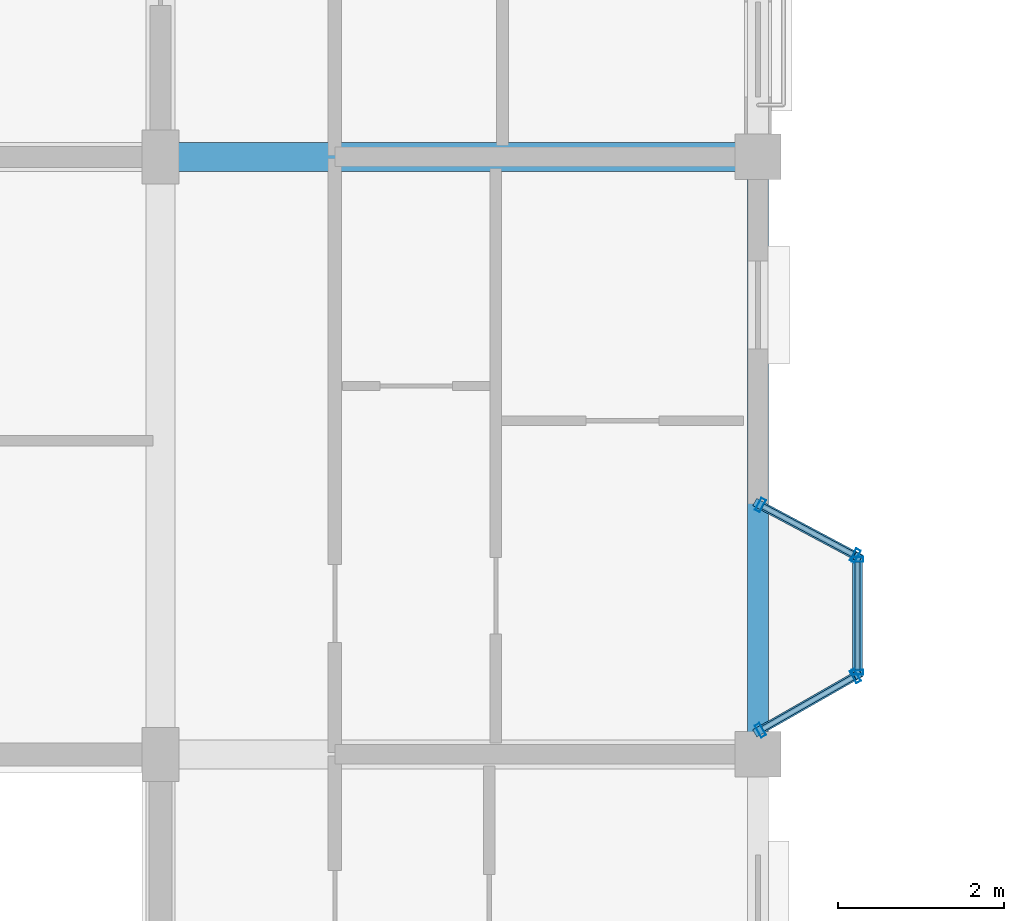
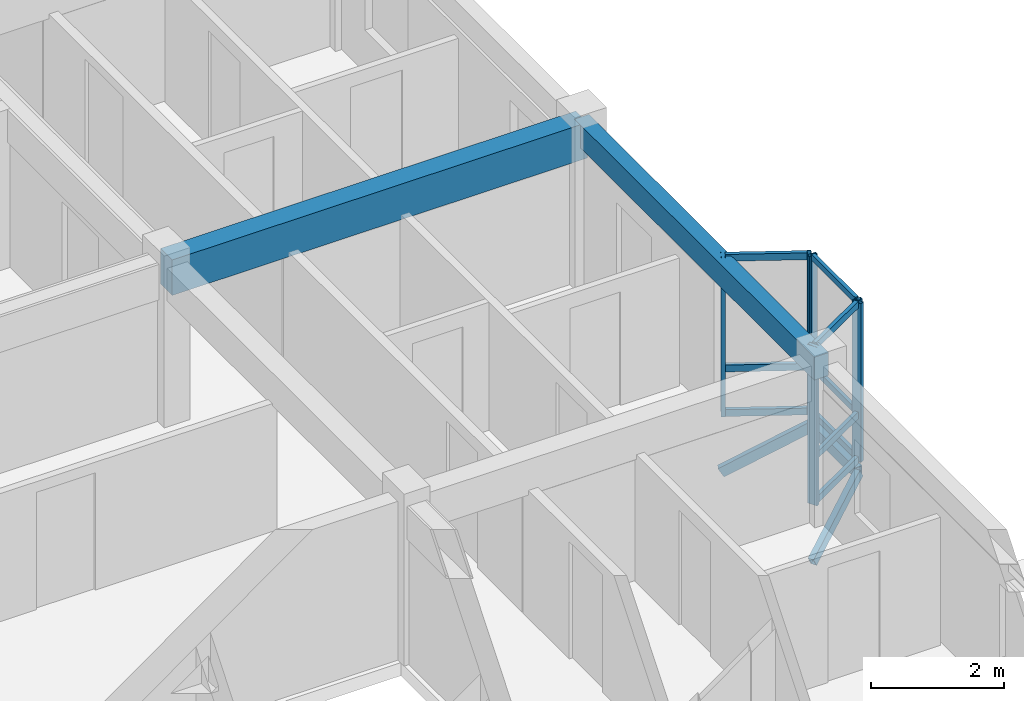
# One storey, part 19 of 79: 18 members, 2 beams, 3 elements without a shape of their own.
"""IFC4 building model written with IfcOpenShell, lengths in metres."""

from ifc_helpers import new_model, si_unit, direction, frame, origin, origin_2d, place, context, subcontext, project, spatial, rectangle, hollow_rectangle, extrude, material, layer, layer_set, material_profile, profile_set, type_object, element, aggregate, save


model = new_model("IFC4")

# Units and contexts
model_context = context("Model", 3, precision=1e-05, world=origin(), true_north=direction((0.0, 1.0)))
body_context = subcontext(model_context, "Body", "Model", "MODEL_VIEW")
ifc_project = project(units=[si_unit("LENGTHUNIT", "METRE"), si_unit("AREAUNIT", "SQUARE_METRE"), si_unit("VOLUMEUNIT", "CUBIC_METRE"), si_unit("PLANEANGLEUNIT", "RADIAN"), si_unit("MASSUNIT", "GRAM", prefix="KILO"), si_unit("THERMODYNAMICTEMPERATUREUNIT", "KELVIN"), si_unit("POWERUNIT", "WATT")], contexts=[model_context])

# Site, building, storey
site_placement = place(None, origin())
site = spatial("IfcSite", under=ifc_project, at=site_placement, CompositionType="ELEMENT")
building_placement = place(site_placement, origin())
building = spatial("IfcBuilding", under=site, at=building_placement, Name="Tavuni Mirador Residences", CompositionType="ELEMENT")
storey_placement = place(building_placement, frame((0.0, 0.0, 13.949951171875)))
storey = spatial("IfcBuildingStorey", under=building, at=storey_placement, Name="L04", CompositionType="ELEMENT", Elevation=13.949951171875)

# Beams
ifc_material_1 = material(Name="Precast concrete C40/50", Category="concrete")
ifc_material_profile_1 = material_profile(ifc_material_1, rectangle(XDim=0.35009765625, YDim=0.64990234375, at=origin_2d()), Name="PC 350x650", Category="concrete")
ifc_profile_set_1 = profile_set([ifc_material_profile_1], Name="Precast concrete C40/50")
beam_type_1 = type_object("IfcBeamType", Name="BT-B650", PredefinedType="BEAM", material=ifc_profile_set_1)
beam_1_placement = place(storey_placement, frame((18.0, 86.39990234375, 2.5849609375), z_axis=(1.0, 0.0, 0.0), x_axis=(0.0, 1.0, 0.0)))
element("IfcBeam", 1, at=beam_1_placement, inside=storey, type_object=beam_type_1, Name="BMX-BLK-B-L04-02-03", PredefinedType="BEAM", context=body_context, shape_type="SweptSolid", body=[
    extrude(rectangle(XDim=0.35009765625, YDim=0.64990234375, at=origin_2d()), origin(), (0.0, 0.0, 1.0), 7.199951171875),
])
ifc_material_profile_2 = material_profile(ifc_material_1, rectangle(XDim=0.25, YDim=0.419921875, at=origin_2d()), Name="PC 250x420", Category="concrete")
ifc_profile_set_2 = profile_set([ifc_material_profile_2], Name="Precast concrete C40/50")
beam_type_2 = type_object("IfcBeamType", Name="BT-SP420", PredefinedType="SPANDREL", material=ifc_profile_set_2)
beam_2_placement = place(storey_placement, frame((25.199951171875, 79.199951171875, 2.699951171875), z_axis=(0.0, 1.0, 0.0), x_axis=(-1.0, 0.0, 0.0)))
element("IfcBeam", 2, at=beam_2_placement, inside=storey, type_object=beam_type_2, Name="BMY-BLK-B-L04-03-02", PredefinedType="SPANDREL", context=body_context, shape_type="SweptSolid", body=[
    extrude(rectangle(XDim=0.25, YDim=0.419921875, at=origin_2d()), origin(), (0.0, 0.0, 1.0), 7.199951171875),
])

# Curtain wall, members
ifc_material_2 = material(Name="Anodised aluminium", Category="aluminium")
ifc_layer_1 = layer(ifc_material_2, 0.1650390625, Name="Anodised aluminium", Category="aluminium")
ifc_layer_set_1 = layer_set([ifc_layer_1], Name="Anodised aluminium")
curtain_wall_type_1 = type_object("IfcCurtainWallType", Name="CWT-MIR-A", PredefinedType="NOTDEFINED", material=ifc_layer_set_1)
curtain_wall_1_placement = place(storey_placement, origin())
curtain_wall_1 = element("IfcCurtainWall", 3, at=curtain_wall_1_placement, inside=storey, type_object=curtain_wall_type_1, Name="CW-MIR-B-E2-L04-MF", PredefinedType="NOTDEFINED")
ifc_material_profile_3 = material_profile(ifc_material_2, hollow_rectangle(XDim=0.06005859375, YDim=0.139892578125, WallThickness=0.00390625, at=origin_2d()), Name="ALU 60x140x4.0", Category="aluminium")
ifc_profile_set_3 = profile_set([ifc_material_profile_3], Name="Anodised aluminium")
member_type_1 = type_object("IfcMemberType", Name="CWM-140", PredefinedType="MULLION", material=ifc_profile_set_3)
member_1_placement = place(storey_placement, frame((26.39990234375, 80.18994140625, 0.0), z_axis=(0.0, 0.0, 1.0), x_axis=(0.0, 1.0, 0.0)))
member_1 = element("IfcMember", 4, at=member_1_placement, type_object=member_type_1, Name="CW-01 mullion 1", PredefinedType="MULLION", context=body_context, shape_type="SweptSolid", body=[
    extrude(hollow_rectangle(XDim=0.06005859375, YDim=0.139892578125, WallThickness=0.00390625, at=origin_2d()), origin(), (0.0, 0.0, 1.0), 2.91015625),
])
member_2_placement = place(storey_placement, frame((26.39990234375, 81.550048828125, 0.0), z_axis=(0.0, 0.0, 1.0), x_axis=(0.0, 1.0, 0.0)))
member_2 = element("IfcMember", 5, at=member_2_placement, type_object=member_type_1, Name="CW-01 mullion 2", PredefinedType="MULLION", context=body_context, shape_type="SweptSolid", body=[
    extrude(hollow_rectangle(XDim=0.06005859375, YDim=0.139892578125, WallThickness=0.00390625, at=origin_2d()), origin(), (0.0, 0.0, 1.0), 2.91015625),
])

ifc_layer_2 = layer(ifc_material_2, 0.159912109375, Name="Anodised aluminium", Category="aluminium")
ifc_layer_set_2 = layer_set([ifc_layer_2], Name="Anodised aluminium")
curtain_wall_type_2 = type_object("IfcCurtainWallType", Name="CWT-MIR-D", PredefinedType="NOTDEFINED", material=ifc_layer_set_2)
curtain_wall_2_placement = place(storey_placement, origin())
curtain_wall_2 = element("IfcCurtainWall", 6, at=curtain_wall_2_placement, inside=storey, type_object=curtain_wall_type_2, Name="CW-MIR-B-E2-L04-M1", PredefinedType="NOTDEFINED")
ifc_material_profile_4 = material_profile(ifc_material_2, hollow_rectangle(XDim=0.06494140625, YDim=0.1650390625, WallThickness=0.00439453125, at=origin_2d()), Name="ALU 65x165x4.5", Category="aluminium")
ifc_profile_set_4 = profile_set([ifc_material_profile_4], Name="Anodised aluminium")
member_type_2 = type_object("IfcMemberType", Name="CWM-165", PredefinedType="MULLION", material=ifc_profile_set_4)
member_3_placement = place(storey_placement, frame((25.228271484375, 79.4912109375, 0.0), z_axis=(0.0, 0.0, 1.0), x_axis=(0.868465738194, 0.495749192217, 0.0)))
member_3 = element("IfcMember", 7, at=member_3_placement, type_object=member_type_2, Name="CW-04 mullion 1", PredefinedType="MULLION", context=body_context, shape_type="SweptSolid", body=[
    extrude(hollow_rectangle(XDim=0.06494140625, YDim=0.1650390625, WallThickness=0.00439453125, at=origin_2d()), origin(), (0.0, 0.0, 1.0), 2.91015625),
])
member_4_placement = place(storey_placement, frame((26.371826171875, 80.143798828125, 0.0), z_axis=(0.0, 0.0, 1.0), x_axis=(0.868465738194, 0.495749192217, 0.0)))
member_4 = element("IfcMember", 8, at=member_4_placement, type_object=member_type_2, Name="CW-04 mullion 2", PredefinedType="MULLION", context=body_context, shape_type="SweptSolid", body=[
    extrude(hollow_rectangle(XDim=0.06494140625, YDim=0.1650390625, WallThickness=0.00439453125, at=origin_2d()), origin(), (0.0, 0.0, 1.0), 2.91015625),
])

ifc_layer_3 = layer(ifc_material_2, 0.14990234375, Name="Anodised aluminium", Category="aluminium")
ifc_layer_set_3 = layer_set([ifc_layer_3], Name="Anodised aluminium")
curtain_wall_type_3 = type_object("IfcCurtainWallType", Name="CWT-MIR-B", PredefinedType="NOTDEFINED", material=ifc_layer_set_3)
curtain_wall_3_placement = place(storey_placement, origin())
curtain_wall_3 = element("IfcCurtainWall", 9, at=curtain_wall_3_placement, inside=storey, type_object=curtain_wall_type_3, Name="CW-MIR-B-E2-L04-M2", PredefinedType="NOTDEFINED")
member_5_placement = place(storey_placement, frame((26.371337890625, 81.59521484375, 0.0), z_axis=(0.0, 0.0, 1.0), x_axis=(-0.882352941175, 0.470588235296, 0.0)))
member_5 = element("IfcMember", 10, at=member_5_placement, type_object=member_type_2, Name="CW-02 mullion 1", PredefinedType="MULLION", context=body_context, shape_type="SweptSolid", body=[
    extrude(hollow_rectangle(XDim=0.06494140625, YDim=0.1650390625, WallThickness=0.00439453125, at=origin_2d()), origin(), (0.0, 0.0, 1.0), 2.91015625),
])
member_6_placement = place(storey_placement, frame((25.228759765625, 82.20458984375, 0.0), z_axis=(0.0, 0.0, 1.0), x_axis=(-0.882352941175, 0.470588235296, 0.0)))
member_6 = element("IfcMember", 11, at=member_6_placement, type_object=member_type_2, Name="CW-02 mullion 2", PredefinedType="MULLION", context=body_context, shape_type="SweptSolid", body=[
    extrude(hollow_rectangle(XDim=0.06494140625, YDim=0.1650390625, WallThickness=0.00439453125, at=origin_2d()), origin(), (0.0, 0.0, 1.0), 2.91015625),
])

# Member
ifc_material_profile_5 = material_profile(ifc_material_2, hollow_rectangle(XDim=0.06005859375, YDim=0.110107421875, WallThickness=0.00390625, at=origin_2d()), Name="ALU 60x110x4.0", Category="aluminium")
ifc_profile_set_5 = profile_set([ifc_material_profile_5], Name="Anodised aluminium")
member_type_3 = type_object("IfcMemberType", Name="CWT-110", PredefinedType="USERDEFINED", material=ifc_profile_set_5)
member_7_placement = place(storey_placement, frame((26.39990234375, 80.219970703125, 0.030029296875), z_axis=(0.0, 1.0, 0.0), x_axis=(-1.0, 0.0, 0.0)))
member_7 = element("IfcMember", 12, at=member_7_placement, type_object=member_type_3, Name="CW-01 transom 1.1", ObjectType="TRANSOM", PredefinedType="USERDEFINED", context=body_context, shape_type="SweptSolid", body=[
    extrude(hollow_rectangle(XDim=0.06005859375, YDim=0.110107421875, WallThickness=0.00390625, at=origin_2d()), origin(), (0.0, 0.0, 1.0), 1.300048828125),
])

member_8_placement = place(storey_placement, frame((26.39990234375, 80.219970703125, 0.85009765625), z_axis=(0.0, 1.0, 0.0), x_axis=(-1.0, 0.0, 0.0)))
member_8 = element("IfcMember", 13, at=member_8_placement, type_object=member_type_3, Name="CW-01 transom 1.2", ObjectType="TRANSOM", PredefinedType="USERDEFINED", context=body_context, shape_type="SweptSolid", body=[
    extrude(hollow_rectangle(XDim=0.06005859375, YDim=0.110107421875, WallThickness=0.00390625, at=origin_2d()), origin(), (0.0, 0.0, 1.0), 1.300048828125),
])

member_9_placement = place(storey_placement, frame((26.39990234375, 80.219970703125, 2.880126953125), z_axis=(0.0, 1.0, 0.0), x_axis=(-1.0, 0.0, 0.0)))
member_9 = element("IfcMember", 14, at=member_9_placement, type_object=member_type_3, Name="CW-01 transom 1.3", ObjectType="TRANSOM", PredefinedType="USERDEFINED", context=body_context, shape_type="SweptSolid", body=[
    extrude(hollow_rectangle(XDim=0.06005859375, YDim=0.110107421875, WallThickness=0.00390625, at=origin_2d()), origin(), (0.0, 0.0, 1.0), 1.300048828125),
])

aggregate(curtain_wall_1, [member_1, member_2, member_7, member_8, member_9])

ifc_material_profile_6 = material_profile(ifc_material_2, hollow_rectangle(XDim=0.06494140625, YDim=0.125, WallThickness=0.00439453125, at=origin_2d()), Name="ALU 65x125x4.5", Category="aluminium")
ifc_profile_set_6 = profile_set([ifc_material_profile_6], Name="Anodised aluminium")
member_type_4 = type_object("IfcMemberType", Name="CWT-125", PredefinedType="USERDEFINED", material=ifc_profile_set_6)
member_10_placement = place(storey_placement, frame((25.25634765625, 79.50732421875, 0.032470703125), z_axis=(0.868543055203, 0.495613721822, 0.0), x_axis=(-0.495613721822, 0.868543055203, 0.0)))
member_10 = element("IfcMember", 15, at=member_10_placement, type_object=member_type_4, Name="CW-04 transom 1.1", ObjectType="TRANSOM", PredefinedType="USERDEFINED", context=body_context, shape_type="SweptSolid", body=[
    extrude(hollow_rectangle(XDim=0.06494140625, YDim=0.125, WallThickness=0.00439453125, at=origin_2d()), origin(), (0.0, 0.0, 1.0), 1.251708984375),
])

member_11_placement = place(storey_placement, frame((25.25634765625, 79.50732421875, 0.85009765625), z_axis=(0.868543055203, 0.495613721822, 0.0), x_axis=(-0.495613721822, 0.868543055203, 0.0)))
member_11 = element("IfcMember", 16, at=member_11_placement, type_object=member_type_4, Name="CW-04 transom 1.2", ObjectType="TRANSOM", PredefinedType="USERDEFINED", context=body_context, shape_type="SweptSolid", body=[
    extrude(hollow_rectangle(XDim=0.06494140625, YDim=0.125, WallThickness=0.00439453125, at=origin_2d()), origin(), (0.0, 0.0, 1.0), 1.251708984375),
])

member_12_placement = place(storey_placement, frame((25.25634765625, 79.50732421875, 2.87744140625), z_axis=(0.868543055203, 0.495613721822, 0.0), x_axis=(-0.495613721822, 0.868543055203, 0.0)))
member_12 = element("IfcMember", 17, at=member_12_placement, type_object=member_type_4, Name="CW-04 transom 1.3", ObjectType="TRANSOM", PredefinedType="USERDEFINED", context=body_context, shape_type="SweptSolid", body=[
    extrude(hollow_rectangle(XDim=0.06494140625, YDim=0.125, WallThickness=0.00439453125, at=origin_2d()), origin(), (0.0, 0.0, 1.0), 1.251708984375),
])

aggregate(curtain_wall_2, [member_3, member_4, member_10, member_11, member_12])

member_13_placement = place(storey_placement, frame((26.342529296875, 81.610595703125, 0.032470703125), z_axis=(-0.882325465843, 0.470639747922, 0.0), x_axis=(-0.470639747922, -0.882325465843, 0.0)))
member_13 = element("IfcMember", 18, at=member_13_placement, type_object=member_type_4, Name="CW-02 transom 1.1", ObjectType="TRANSOM", PredefinedType="USERDEFINED", context=body_context, shape_type="SweptSolid", body=[
    extrude(hollow_rectangle(XDim=0.06494140625, YDim=0.125, WallThickness=0.00439453125, at=origin_2d()), origin(), (0.0, 0.0, 1.0), 1.22998046875),
])

member_14_placement = place(storey_placement, frame((26.342529296875, 81.610595703125, 0.85009765625), z_axis=(-0.882325465843, 0.470639747922, 0.0), x_axis=(-0.470639747922, -0.882325465843, 0.0)))
member_14 = element("IfcMember", 19, at=member_14_placement, type_object=member_type_4, Name="CW-02 transom 1.2", ObjectType="TRANSOM", PredefinedType="USERDEFINED", context=body_context, shape_type="SweptSolid", body=[
    extrude(hollow_rectangle(XDim=0.06494140625, YDim=0.125, WallThickness=0.00439453125, at=origin_2d()), origin(), (0.0, 0.0, 1.0), 1.22998046875),
])

member_15_placement = place(storey_placement, frame((26.342529296875, 81.610595703125, 2.87744140625), z_axis=(-0.882325465843, 0.470639747922, 0.0), x_axis=(-0.470639747922, -0.882325465843, 0.0)))
member_15 = element("IfcMember", 20, at=member_15_placement, type_object=member_type_4, Name="CW-02 transom 1.3", ObjectType="TRANSOM", PredefinedType="USERDEFINED", context=body_context, shape_type="SweptSolid", body=[
    extrude(hollow_rectangle(XDim=0.06494140625, YDim=0.125, WallThickness=0.00439453125, at=origin_2d()), origin(), (0.0, 0.0, 1.0), 1.22998046875),
])

aggregate(curtain_wall_3, [member_5, member_6, member_13, member_14, member_15])

# Members
ifc_material_3 = material(Name="Structural steel S355", Category="steel")
ifc_material_profile_7 = material_profile(ifc_material_3, hollow_rectangle(XDim=0.10009765625, YDim=0.179931640625, WallThickness=0.008056640625, at=origin_2d()), Name="RHS 180x100x8.0", Category="steel")
ifc_profile_set_7 = profile_set([ifc_material_profile_7], Name="Structural steel S355")
member_type_5 = type_object("IfcMemberType", Name="MT-BR-RHS180", PredefinedType="BRACE", material=ifc_profile_set_7)
member_16_placement = place(storey_placement, frame((25.199951171875, 79.47509765625, -1.050048828125), z_axis=(0.749231067094, 0.427587618148, 0.505788134408), x_axis=(-0.49566311428, 0.868514868694, 0.0)))
element("IfcMember", 21, at=member_16_placement, inside=storey, type_object=member_type_5, Name="MBRK-MIR-B-E2-L04-1", PredefinedType="BRACE", context=body_context, shape_type="SweptSolid", body=[
    extrude(hollow_rectangle(XDim=0.10009765625, YDim=0.179931640625, WallThickness=0.008056640625, at=origin_2d()), origin(), (0.0, 0.0, 1.0), 1.6015625),
])
member_17_placement = place(storey_placement, frame((25.199951171875, 82.219970703125, -1.050048828125), z_axis=(0.758076235047, -0.404255912931, 0.511759297637), x_axis=(0.47054164445, 0.882377788047, 0.0)))
element("IfcMember", 22, at=member_17_placement, inside=storey, type_object=member_type_5, Name="MBRK-MIR-B-E2-L04-2", PredefinedType="BRACE", context=body_context, shape_type="SweptSolid", body=[
    extrude(hollow_rectangle(XDim=0.10009765625, YDim=0.179931640625, WallThickness=0.008056640625, at=origin_2d()), origin(), (0.0, 0.0, 1.0), 1.5830078125),
])
ifc_material_profile_8 = material_profile(ifc_material_3, hollow_rectangle(XDim=0.1201171875, YDim=0.199951171875, WallThickness=0.010009765625, at=origin_2d()), Name="RHS 200x120x10.0", Category="steel")
ifc_profile_set_8 = profile_set([ifc_material_profile_8], Name="Structural steel S355")
member_type_6 = type_object("IfcMemberType", Name="MT-ST-RHS200", PredefinedType="STRUT", material=ifc_profile_set_8)
member_18_placement = place(storey_placement, frame((26.39990234375, 80.159912109375, -0.239990234375), z_axis=(0.0, 1.0, 0.0), x_axis=(-1.0, 0.0, 0.0)))
element("IfcMember", 23, at=member_18_placement, inside=storey, type_object=member_type_6, Name="MRIM-MIR-B-E2-L04", PredefinedType="STRUT", context=body_context, shape_type="SweptSolid", body=[
    extrude(hollow_rectangle(XDim=0.1201171875, YDim=0.199951171875, WallThickness=0.010009765625, at=origin_2d()), origin(), (0.0, 0.0, 1.0), 1.420166015625),
])

save(model, "model.ifc")
